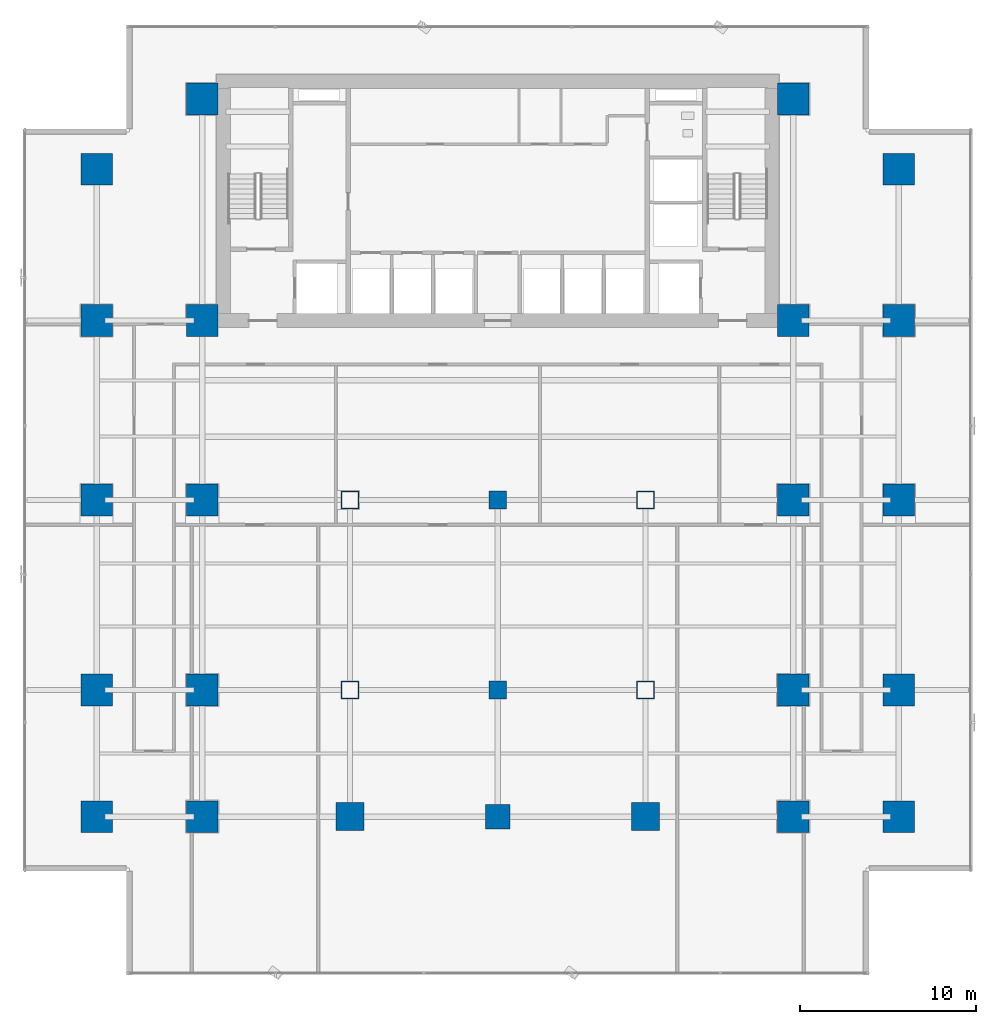
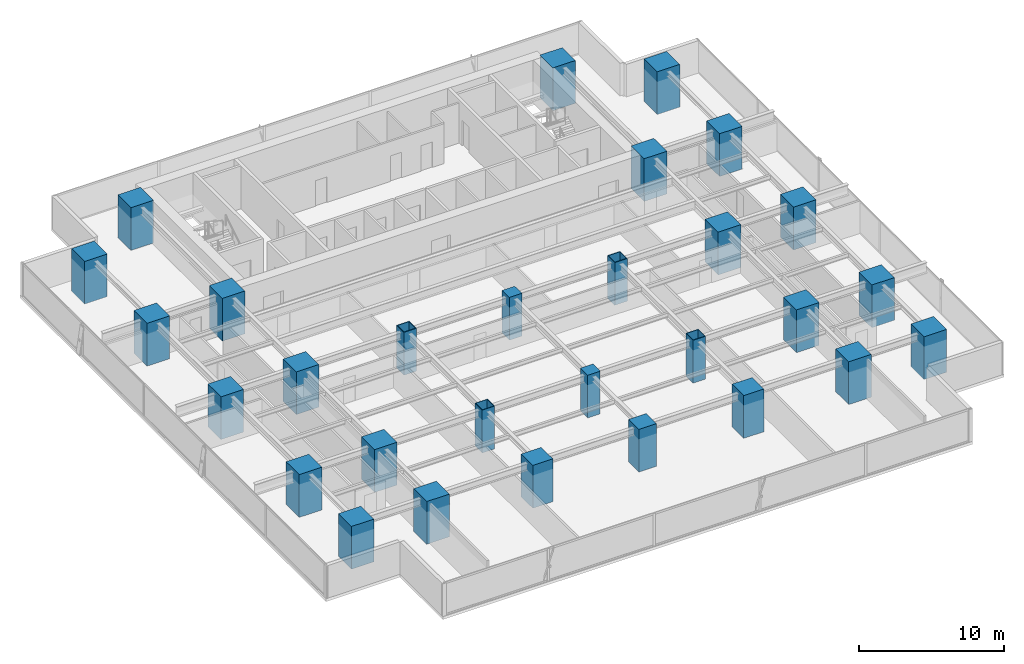
# One storey, part 1 of 32: 29 columns.
"""IFC4 building model written with IfcOpenShell, lengths in metres."""

import ifcopenshell
import ifcopenshell.guid

model = None  # the IFC model being written
_history = None  # IfcOwnerHistory: only IFC2X3 demands one
_inside = {}  # id of a spatial element -> (the spatial element, [elements in it])
_under = {}  # id of a project, library or spatial element -> (it, [spatial elements below it])
_declared = {}  # id of a project -> (the project, [libraries it declares])
_typed = {}  # id of a type object -> (the type object, [elements of that type])
_made_of = {}  # id of a material, layer set ... -> (it, [elements and type objects made of it])


def new_model(schema):
    """Start an empty IFC model of exactly this schema.

    Asked for "IFC4X3", IfcOpenShell would pick the latest addendum, in which some entities
    have other attributes; the version numbers below select the first issue.
    IFC2X3 requires an IfcOwnerHistory on every rooted entity: one is made here for all.
    """
    global model, _history
    if schema == "IFC4X3":
        model = ifcopenshell.file(schema_version=(4, 3, 0, 0))
    else:
        model = ifcopenshell.file(schema=schema)
    _inside.clear()
    _under.clear()
    _declared.clear()
    _typed.clear()
    _made_of.clear()
    _history = None
    if model.schema == "IFC2X3":
        org = make("IfcOrganization", Name="unknown")
        user = make(
            "IfcPersonAndOrganization",
            ThePerson=make("IfcPerson", FamilyName="unknown"),
            TheOrganization=org,
        )
        app = make(
            "IfcApplication",
            ApplicationDeveloper=org,
            Version="unknown",
            ApplicationFullName="unknown",
            ApplicationIdentifier="unknown",
        )
        _history = make(
            "IfcOwnerHistory",
            OwningUser=user,
            OwningApplication=app,
            ChangeAction="ADDED",
            CreationDate=0,
        )
    return model


def make(cls, **values):
    """One entity of the class cls with the attributes given. An attribute that is None is left unset."""
    return model.create_entity(
        cls, **{name: value for name, value in values.items() if value is not None}
    )


def rooted(cls, **values):
    """An entity with a GlobalId (a new one), such as an element, a storey or a relation."""
    return make(cls, GlobalId=ifcopenshell.guid.new(), OwnerHistory=_history, **values)


def si_unit(unit_type, name, prefix=None):
    """IfcSIUnit, for example si_unit("LENGTHUNIT", "METRE", prefix="MILLI")."""
    return make("IfcSIUnit", UnitType=unit_type, Prefix=prefix, Name=name)


def assignment(units):
    """IfcUnitAssignment: the units of a project."""
    return None if units is None else make("IfcUnitAssignment", Units=units)


def point(xyz):
    """IfcCartesianPoint."""
    return None if xyz is None else make("IfcCartesianPoint", Coordinates=xyz)


def direction(xyz):
    """IfcDirection."""
    return None if xyz is None else make("IfcDirection", DirectionRatios=xyz)


def frame(location, z_axis=None, x_axis=None):
    """IfcAxis2Placement3D, a coordinate frame: its origin and axes. An axis left out is left unset."""
    return make(
        "IfcAxis2Placement3D",
        Location=point(location),
        Axis=direction(z_axis),
        RefDirection=direction(x_axis),
    )


def frame_2d(location, x_axis=None):
    """IfcAxis2Placement2D, a coordinate frame in the plane: its origin and x axis."""
    return make(
        "IfcAxis2Placement2D", Location=point(location), RefDirection=direction(x_axis)
    )


def origin():
    """The frame at (0, 0, 0) with its axes left unset."""
    return frame((0.0, 0.0, 0.0))


def origin_2d():
    """The frame at (0, 0) in the plane with its x axis left unset."""
    return frame_2d((0.0, 0.0))


def place(relative_to, where):
    """IfcLocalPlacement: puts the frame where relative to a parent placement (None: the world)."""
    return make(
        "IfcLocalPlacement", PlacementRelTo=relative_to, RelativePlacement=where
    )


def context(
    kind, dimensions, precision=None, world=None, true_north=None, identifier=None
):
    """IfcGeometricRepresentationContext, for example the 3D "Model" context."""
    return make(
        "IfcGeometricRepresentationContext",
        ContextIdentifier=identifier,
        ContextType=kind,
        CoordinateSpaceDimension=dimensions,
        Precision=precision,
        WorldCoordinateSystem=world,
        TrueNorth=true_north,
    )


def subcontext(parent, identifier, kind, view, scale=None):
    """IfcGeometricRepresentationSubContext, for example "Body" below "Model"."""
    return make(
        "IfcGeometricRepresentationSubContext",
        ContextIdentifier=identifier,
        ContextType=kind,
        ParentContext=parent,
        TargetScale=scale,
        TargetView=view,
    )


def project(units=None, contexts=None):
    """IfcProject with its units and contexts."""
    return rooted(
        "IfcProject",
        Name="project",
        RepresentationContexts=contexts,
        UnitsInContext=assignment(units),
    )


def spatial(cls, under=None, at=None, **own):
    """A site, building, storey or space (cls), placed at a placement, below another one or the project."""
    s = rooted(cls, ObjectPlacement=at, **own)
    if under is not None:
        _under.setdefault(under.id(), (under, []))[1].append(s)
    return s


def profile(cls, at=None, kind="AREA", **sizes):
    """A parametric profile (cls). Its sizes go by their IFC names, for example OverallWidth=200.0."""
    return make(cls, ProfileType=kind, Position=at, **sizes)


def rectangle(**sizes):
    """IfcRectangleProfileDef."""
    return profile("IfcRectangleProfileDef", **sizes)


def hollow_rectangle(**sizes):
    """IfcRectangleHollowProfileDef."""
    return profile("IfcRectangleHollowProfileDef", **sizes)


def extrude(swept, where, along, depth):
    """IfcExtrudedAreaSolid: the profile swept, set in the frame where, extruded along a direction by depth."""
    return make(
        "IfcExtrudedAreaSolid",
        SweptArea=swept,
        Position=where,
        ExtrudedDirection=direction(along),
        Depth=depth,
    )


def shape(context_of_items, identifier, shape_type, items):
    """IfcShapeRepresentation: the items that make up one representation, for example the "Body"."""
    return make(
        "IfcShapeRepresentation",
        ContextOfItems=context_of_items,
        RepresentationIdentifier=identifier,
        RepresentationType=shape_type,
        Items=items,
    )


def source(mapping_origin, context_of_items, identifier, shape_type, items):
    """IfcRepresentationMap: a shape defined once, which mapped items show again and again."""
    return make(
        "IfcRepresentationMap",
        MappingOrigin=mapping_origin,
        MappedRepresentation=shape(context_of_items, identifier, shape_type, items),
    )


def transform(
    local_origin,
    x_axis=None,
    y_axis=None,
    z_axis=None,
    scale=None,
    scale2=None,
    scale3=None,
    uniform=True,
):
    """IfcCartesianTransformationOperator3D, or its non-uniform kind. x_axis, y_axis, z_axis: its Axis1, 2, 3."""
    if uniform:
        return make(
            "IfcCartesianTransformationOperator3D",
            Axis1=direction(x_axis),
            Axis2=direction(y_axis),
            LocalOrigin=point(local_origin),
            Scale=scale,
            Axis3=direction(z_axis),
        )
    return make(
        "IfcCartesianTransformationOperator3DnonUniform",
        Axis1=direction(x_axis),
        Axis2=direction(y_axis),
        LocalOrigin=point(local_origin),
        Scale=scale,
        Axis3=direction(z_axis),
        Scale2=scale2,
        Scale3=scale3,
    )


def mapped(mapping_source, mapping_target):
    """IfcMappedItem: shows the shape of a source again, moved by a transform."""
    return make(
        "IfcMappedItem", MappingSource=mapping_source, MappingTarget=mapping_target
    )


def material(Name=None, Category=None):
    """IfcMaterial."""
    return make("IfcMaterial", Name=Name, Category=Category)


def material_profile(
    of_material, cross_section, Name=None, Category=None, Priority=None
):
    """IfcMaterialProfile: a cross section and its material."""
    return make(
        "IfcMaterialProfile",
        Name=Name,
        Material=of_material,
        Profile=cross_section,
        Priority=Priority,
        Category=Category,
    )


def profile_set(profiles, Name=None, composite=None):
    """IfcMaterialProfileSet."""
    return make(
        "IfcMaterialProfileSet",
        Name=Name,
        MaterialProfiles=profiles,
        CompositeProfile=composite,
    )


def made_of(thing, what):
    """Note that an element or type object is made of a material, layer set ...; save() writes the relation."""
    if what is not None:
        _made_of.setdefault(what.id(), (what, []))[1].append(thing)
    return thing


def type_object(cls, material=None, **own):
    """A type object (cls), such as IfcWallType, which elements share."""
    return made_of(rooted(cls, **own), material)


def element(
    cls,
    number,
    at=None,
    inside=None,
    cuts=None,
    type_object=None,
    material=None,
    context=None,
    identifier="Body",
    shape_type=None,
    held_by="IfcProductDefinitionShape",
    body=None,
    shapes=None,
    **own,
):
    """One element of the class cls, such as IfcWall. Its Tag is "e" and its number.

    at: its placement. inside: the storey or other place that contains it. cuts: it is an
    opening in that element (IfcRelVoidsElement). A single representation is given by context,
    identifier, shape_type and body (its items); several are given by shapes. held_by: the class
    of the entity that holds the representations. save() writes the other relations.
    """
    e = rooted(cls, Tag="e%d" % number, ObjectPlacement=at, **own)
    if body is not None:
        shapes = [shape(context, identifier, shape_type, body)]
    if shapes is not None:
        e.Representation = make(held_by, Representations=shapes)
    if inside is not None:
        _inside.setdefault(inside.id(), (inside, []))[1].append(e)
    if cuts is not None:
        rooted(
            "IfcRelVoidsElement", RelatingBuildingElement=cuts, RelatedOpeningElement=e
        )
    if type_object is not None:
        _typed.setdefault(type_object.id(), (type_object, []))[1].append(e)
    return made_of(e, material)


def aggregate(whole, parts):
    """IfcRelAggregates: a whole, such as a stair, and the parts it consists of."""
    return rooted("IfcRelAggregates", RelatingObject=whole, RelatedObjects=parts)


def save(model, path):
    """Write the relations noted so far, then the file.

    IfcRelAggregates (storeys below a building ...), IfcRelContainedInSpatialStructure (elements
    in a storey), IfcRelDefinesByType, IfcRelAssociatesMaterial and IfcRelDeclares: one each for
    every whole, place, type object, material and project.
    """
    for whole, parts in _under.values():
        aggregate(whole, parts)
    for where, things in _inside.values():
        rooted(
            "IfcRelContainedInSpatialStructure",
            RelatedElements=things,
            RelatingStructure=where,
        )
    for kind, things in _typed.values():
        rooted("IfcRelDefinesByType", RelatedObjects=things, RelatingType=kind)
    for what, things in _made_of.values():
        rooted("IfcRelAssociatesMaterial", RelatedObjects=things, RelatingMaterial=what)
    for by, libraries in _declared.values():
        rooted("IfcRelDeclares", RelatingContext=by, RelatedDefinitions=libraries)
    model.write(path)


model = new_model("IFC4")

# Units and contexts
model_context = context("Model", 3, precision=1e-05, world=origin(), true_north=direction((0.0, 1.0)))
body_context = subcontext(model_context, "Body", "Model", "MODEL_VIEW")
ifc_project = project(units=[si_unit("LENGTHUNIT", "METRE"), si_unit("AREAUNIT", "SQUARE_METRE"), si_unit("VOLUMEUNIT", "CUBIC_METRE"), si_unit("PLANEANGLEUNIT", "RADIAN"), si_unit("MASSUNIT", "GRAM", prefix="KILO")], contexts=[model_context])

# Site, building, storey
site_placement = place(None, origin())
site = spatial("IfcSite", under=ifc_project, at=site_placement, CompositionType="ELEMENT")
building_placement = place(site_placement, origin())
building = spatial("IfcBuilding", under=site, at=building_placement, Name="Sumidabori Civic Tower", CompositionType="ELEMENT")
storey_placement = place(building_placement, frame((0.0, 0.0, 52.39990234375)))
storey = spatial("IfcBuildingStorey", under=building, at=storey_placement, Name="L13", CompositionType="ELEMENT", Elevation=52.39990234375)

# Columns
ifc_material_1 = material(Name="Concrete C60/75", Category="concrete")
ifc_material_profile_1 = material_profile(ifc_material_1, rectangle(XDim=1.800048828125, YDim=1.800048828125, at=origin_2d()), Name="RC 1800x1800")
ifc_profile_set_1 = profile_set([ifc_material_profile_1], Name="Concrete C60/75")
column_type_1 = type_object("IfcColumnType", Name="CL-MEGA-1800", PredefinedType="COLUMN", material=ifc_profile_set_1)
shared_shape_1 = source(origin(), body_context, "Body", "SweptSolid", [
    extrude(rectangle(XDim=1.800048828125, YDim=1.800048828125, at=origin_2d()), origin(), (0.0, 0.0, 1.0), 3.60009765625),
])
for number, where, z_axis, x_axis, name in (
    (1, (-16.800048828125, -18.0, 0.0), (0.0, 0.0, 1.0), (1.0, 0.0, 0.0), "Column MC-W16-Y18S L13"),
    (2, (-16.800048828125, -10.800048828125, 0.0), (0.0, 0.0, 1.0), (1.0, 0.0, 0.0), "Column MC-W16-Y11S L13"),
    (3, (-16.800048828125, 0.0, 0.0), (0.0, 0.0, 1.0), (1.0, 0.0, 0.0), "Column MC-W16-Y00 L13"),
    (4, (-16.800048828125, 10.199951171875, 0.0), (0.0, 0.0, 1.0), (1.0, 0.0, 0.0), "Column MC-W16-Y10N L13"),
    (5, (-16.800048828125, 22.800048828125, 0.0), (0.0, 0.0, 1.0), (1.0, 0.0, 0.0), "Column MC-W16-Y23N L13"),
    (6, (16.800048828125, -18.0, 0.0), (0.0, 0.0, 1.0), (1.0, 0.0, 0.0), "Column MC-E16-Y18S L13"),
    (7, (16.800048828125, -10.800048828125, 0.0), (0.0, 0.0, 1.0), (1.0, 0.0, 0.0), "Column MC-E16-Y11S L13"),
    (8, (16.800048828125, 0.0, 0.0), (0.0, 0.0, 1.0), (1.0, 0.0, 0.0), "Column MC-E16-Y00 L13"),
    (9, (16.800048828125, 10.199951171875, 0.0), (0.0, 0.0, 1.0), (1.0, 0.0, 0.0), "Column MC-E16-Y10N L13"),
    (10, (16.800048828125, 22.800048828125, 0.0), (0.0, 0.0, 1.0), (1.0, 0.0, 0.0), "Column MC-E16-Y23N L13"),
    (11, (-22.800048828125, -18.0, 0.0), (0.0, 0.0, 1.0), (1.0, 0.0, 0.0), "Column MC-W23-Y18S L13"),
    (12, (-22.800048828125, -10.800048828125, 0.0), (0.0, 0.0, 1.0), (1.0, 0.0, 0.0), "Column MC-W23-Y11S L13"),
    (13, (-22.800048828125, 0.0, 0.0), (0.0, 0.0, 1.0), (1.0, 0.0, 0.0), "Column MC-W23-Y00 L13"),
    (14, (-22.800048828125, 10.199951171875, 0.0), (0.0, 0.0, 1.0), (1.0, 0.0, 0.0), "Column MC-W23-Y10N L13"),
    (15, (-22.800048828125, 18.800048828125, 0.0), (0.0, 0.0, 1.0), (1.0, 0.0, 0.0), "Column MC-W23-Y19N L13"),
    (16, (22.800048828125, -18.0, 0.0), (0.0, 0.0, 1.0), (1.0, 0.0, 0.0), "Column MC-E23-Y18S L13"),
    (17, (22.800048828125, -10.800048828125, 0.0), (0.0, 0.0, 1.0), (1.0, 0.0, 0.0), "Column MC-E23-Y11S L13"),
    (18, (22.800048828125, 0.0, 0.0), (0.0, 0.0, 1.0), (1.0, 0.0, 0.0), "Column MC-E23-Y00 L13"),
    (19, (22.800048828125, 10.199951171875, 0.0), (0.0, 0.0, 1.0), (1.0, 0.0, 0.0), "Column MC-E23-Y10N L13"),
    (20, (22.800048828125, 18.800048828125, 0.0), (0.0, 0.0, 1.0), (1.0, 0.0, 0.0), "Column MC-E23-Y19N L13"),
):
    element("IfcColumn", number, at=place(storey_placement, frame(where, z_axis=z_axis, x_axis=x_axis)), inside=storey, type_object=column_type_1, Name=name, PredefinedType="COLUMN", context=body_context, shape_type="MappedRepresentation", body=[
        mapped(shared_shape_1, transform((0.0, 0.0, 0.0), x_axis=(1.0, 0.0, 0.0), y_axis=(0.0, 1.0, 0.0), z_axis=(0.0, 0.0, 1.0), scale=1.0)),
    ])
ifc_material_profile_2 = material_profile(ifc_material_1, rectangle(XDim=1.60009765625, YDim=1.60009765625, at=origin_2d()), Name="RC 1600x1600")
ifc_profile_set_2 = profile_set([ifc_material_profile_2], Name="Concrete C60/75")
column_type_2 = type_object("IfcColumnType", Name="CL-MEGA-1600", PredefinedType="COLUMN", material=ifc_profile_set_2)
shared_shape_2 = source(origin(), body_context, "Body", "SweptSolid", [
    extrude(rectangle(XDim=1.60009765625, YDim=1.60009765625, at=origin_2d()), origin(), (0.0, 0.0, 1.0), 3.60009765625),
])
for number, where, z_axis, x_axis, name in (
    (21, (-8.39990234375, -18.0, 0.0), (0.0, 0.0, 1.0), (1.0, 0.0, 0.0), "Column MC-W08-Y18S L13"),
    (22, (8.39990234375, -18.0, 0.0), (0.0, 0.0, 1.0), (1.0, 0.0, 0.0), "Column MC-E08-Y18S L13"),
):
    element("IfcColumn", number, at=place(storey_placement, frame(where, z_axis=z_axis, x_axis=x_axis)), inside=storey, type_object=column_type_2, Name=name, PredefinedType="COLUMN", context=body_context, shape_type="MappedRepresentation", body=[
        mapped(shared_shape_2, transform((0.0, 0.0, 0.0), x_axis=(1.0, 0.0, 0.0), y_axis=(0.0, 1.0, 0.0), z_axis=(0.0, 0.0, 1.0), scale=1.0)),
    ])
ifc_material_2 = material(Name="Steel SM570", Category="steel")
ifc_material_profile_3 = material_profile(ifc_material_2, hollow_rectangle(XDim=1.0, YDim=1.0, WallThickness=0.044921875, at=origin_2d()), Name="SHS 1000x1000x45")
ifc_profile_set_3 = profile_set([ifc_material_profile_3], Name="Steel SM570")
column_type_3 = type_object("IfcColumnType", Name="CL-PORTAL-SHS1000", PredefinedType="COLUMN", material=ifc_profile_set_3)
shared_shape_3 = source(origin(), body_context, "Body", "SweptSolid", [
    extrude(hollow_rectangle(XDim=1.0, YDim=1.0, WallThickness=0.044921875, at=origin_2d()), origin(), (0.0, 0.0, 1.0), 3.60009765625),
])
for number, where, z_axis, x_axis, name in (
    (23, (-8.39990234375, 0.0, 0.0), (0.0, 0.0, 1.0), (1.0, 0.0, 0.0), "Column MC-W08-Y00 L13"),
    (24, (-8.39990234375, -10.800048828125, 0.0), (0.0, 0.0, 1.0), (1.0, 0.0, 0.0), "Column MC-W08-Y11S L13"),
    (25, (8.39990234375, 0.0, 0.0), (0.0, 0.0, 1.0), (1.0, 0.0, 0.0), "Column MC-E08-Y00 L13"),
    (26, (8.39990234375, -10.800048828125, 0.0), (0.0, 0.0, 1.0), (1.0, 0.0, 0.0), "Column MC-E08-Y11S L13"),
):
    element("IfcColumn", number, at=place(storey_placement, frame(where, z_axis=z_axis, x_axis=x_axis)), inside=storey, type_object=column_type_3, Name=name, PredefinedType="COLUMN", context=body_context, shape_type="MappedRepresentation", body=[
        mapped(shared_shape_3, transform((0.0, 0.0, 0.0), x_axis=(1.0, 0.0, 0.0), y_axis=(0.0, 1.0, 0.0), z_axis=(0.0, 0.0, 1.0), scale=1.0)),
    ])
ifc_material_profile_4 = material_profile(ifc_material_1, rectangle(XDim=1.39990234375, YDim=1.39990234375, at=origin_2d()), Name="RC 1400x1400")
ifc_profile_set_4 = profile_set([ifc_material_profile_4], Name="Concrete C60/75")
column_type_4 = type_object("IfcColumnType", Name="CL-MEGA-1400", PredefinedType="COLUMN", material=ifc_profile_set_4)
shared_shape_4 = source(origin(), body_context, "Body", "SweptSolid", [
    extrude(rectangle(XDim=1.39990234375, YDim=1.39990234375, at=origin_2d()), origin(), (0.0, 0.0, 1.0), 3.60009765625),
])
column_placement = place(storey_placement, frame((0.0, -18.0, 0.0), z_axis=(0.0, 0.0, 1.0), x_axis=(1.0, 0.0, 0.0)))
element("IfcColumn", 27, at=column_placement, inside=storey, type_object=column_type_4, Name="Column MC-C00-Y18S L13", PredefinedType="COLUMN", context=body_context, shape_type="MappedRepresentation", body=[
    mapped(shared_shape_4, transform((0.0, 0.0, 0.0), x_axis=(1.0, 0.0, 0.0), y_axis=(0.0, 1.0, 0.0), z_axis=(0.0, 0.0, 1.0), scale=1.0)),
])
ifc_material_3 = material(Name="Concrete C50/60", Category="concrete")
ifc_material_profile_5 = material_profile(ifc_material_3, rectangle(XDim=1.0, YDim=1.0, at=origin_2d()), Name="RC 1000x1000")
ifc_profile_set_5 = profile_set([ifc_material_profile_5], Name="Concrete C50/60")
column_type_5 = type_object("IfcColumnType", Name="CL-INT-1000", PredefinedType="COLUMN", material=ifc_profile_set_5)
shared_shape_5 = source(origin(), body_context, "Body", "SweptSolid", [
    extrude(rectangle(XDim=1.0, YDim=1.0, at=origin_2d()), origin(), (0.0, 0.0, 1.0), 3.60009765625),
])
for number, where, z_axis, x_axis, name in (
    (28, (0.0, -10.800048828125, 0.0), (0.0, 0.0, 1.0), (1.0, 0.0, 0.0), "Column MC-C00-Y11S L13"),
    (29, (0.0, 0.0, 0.0), (0.0, 0.0, 1.0), (1.0, 0.0, 0.0), "Column MC-C00-Y00 L13"),
):
    element("IfcColumn", number, at=place(storey_placement, frame(where, z_axis=z_axis, x_axis=x_axis)), inside=storey, type_object=column_type_5, Name=name, PredefinedType="COLUMN", context=body_context, shape_type="MappedRepresentation", body=[
        mapped(shared_shape_5, transform((0.0, 0.0, 0.0), x_axis=(1.0, 0.0, 0.0), y_axis=(0.0, 1.0, 0.0), z_axis=(0.0, 0.0, 1.0), scale=1.0)),
    ])

save(model, "model.ifc")
